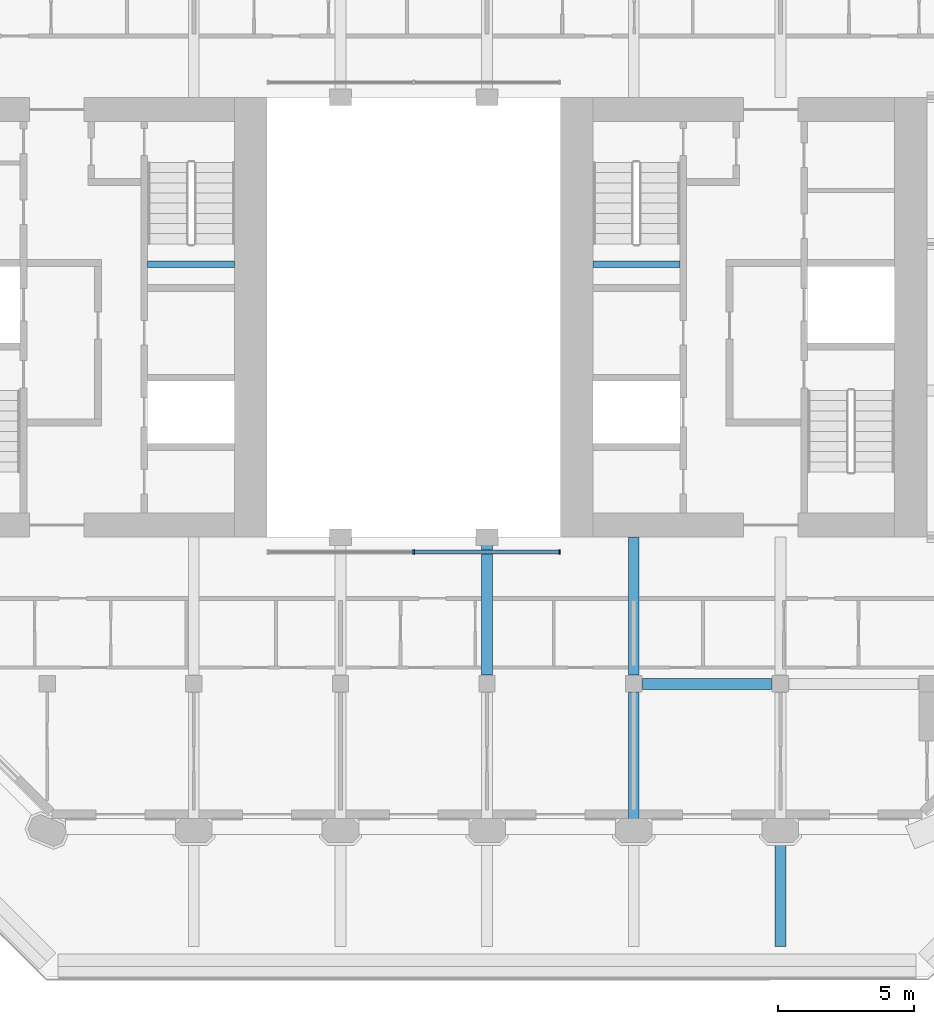
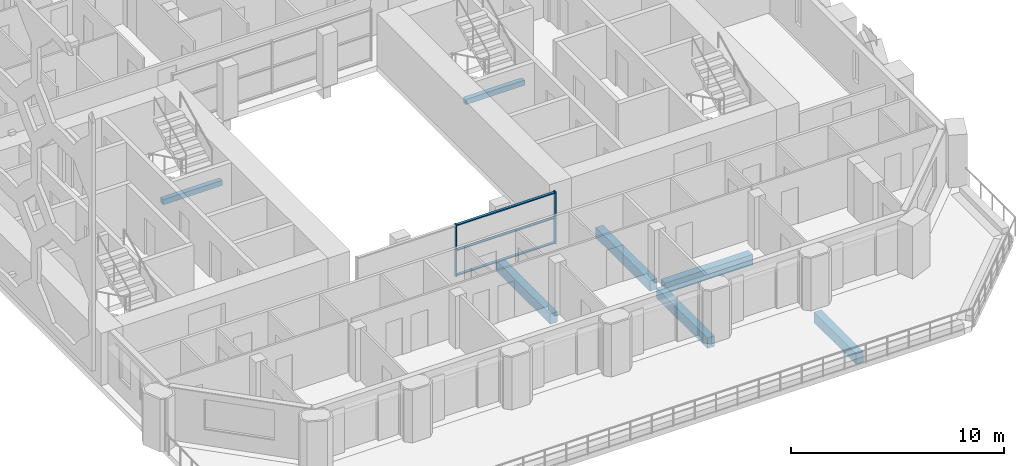
# One storey, part 4 of 17: 7 beams, 5 members, 1 element without a shape of its own.
"""IFC4 building model written with IfcOpenShell, lengths in metres."""

from ifc_helpers import new_model, si_unit, direction, frame, origin, origin_2d, place, context, subcontext, project, spatial, rectangle, extrude, material, material_profile, profile_set, type_object, element, aggregate, save


model = new_model("IFC4")

# Units and contexts
model_context = context("Model", 3, precision=1e-05, world=origin(), true_north=direction((0.0, 1.0)))
body_context = subcontext(model_context, "Body", "Model", "MODEL_VIEW")
ifc_project = project(units=[si_unit("LENGTHUNIT", "METRE"), si_unit("AREAUNIT", "SQUARE_METRE"), si_unit("VOLUMEUNIT", "CUBIC_METRE"), si_unit("PLANEANGLEUNIT", "RADIAN"), si_unit("MASSUNIT", "GRAM", prefix="KILO")], contexts=[model_context])

# Site, building, storey
site_placement = place(None, origin())
site = spatial("IfcSite", under=ifc_project, at=site_placement, CompositionType="ELEMENT")
building_placement = place(site_placement, origin())
building = spatial("IfcBuilding", under=site, at=building_placement, Name="Tabaq Tower and Sports Hall", CompositionType="ELEMENT")
storey_placement = place(building_placement, frame((0.0, 0.0, 288.39990234375)))
storey = spatial("IfcBuildingStorey", under=building, at=storey_placement, Name="L71", CompositionType="ELEMENT", Elevation=288.39990234375)

# Curtain wall, members
ifc_material_1 = material(Name="Aluminium alloy 6063-T6 framed glazing", Category="aluminium")
curtain_wall_type = type_object("IfcCurtainWallType", Name="CW1 curtain wall", PredefinedType="USERDEFINED", material=ifc_material_1)
curtain_wall_placement = place(storey_placement, origin())
curtain_wall = element("IfcCurtainWall", 1, at=curtain_wall_placement, inside=storey, type_object=curtain_wall_type, Name="Atrium glazing L71 S", ObjectType="ATRIUM ENCLOSURE", PredefinedType="USERDEFINED")
ifc_material_2 = material(Name="Aluminium alloy 6063-T6", Category="aluminium")
ifc_material_profile_1 = material_profile(ifc_material_2, rectangle(XDim=0.159912109375, YDim=0.06005859375, at=origin_2d()), Name="MULLION 160x60")
ifc_profile_set_1 = profile_set([ifc_material_profile_1], Name="Aluminium alloy 6063-T6")
member_type_1 = type_object("IfcMemberType", Name="CW1 mullion 160x60", PredefinedType="MULLION", material=ifc_profile_set_1)
member_1_placement = place(storey_placement, frame((24.300048828125, 15.64990234375, 0.0), z_axis=(0.0, 0.0, 1.0), x_axis=(0.0, 1.0, 0.0)))
member_1 = element("IfcMember", 2, at=member_1_placement, type_object=member_type_1, Name="CW1 mullion 2", PredefinedType="MULLION", context=body_context, shape_type="SweptSolid", body=[
    extrude(rectangle(XDim=0.159912109375, YDim=0.06005859375, at=origin_2d()), origin(), (0.0, 0.0, 1.0), 3.0),
])
member_2_placement = place(storey_placement, frame((29.669921875, 15.64990234375, 0.0), z_axis=(0.0, 0.0, 1.0), x_axis=(0.0, 1.0, 0.0)))
member_2 = element("IfcMember", 3, at=member_2_placement, type_object=member_type_1, Name="CW1 mullion 3", PredefinedType="MULLION", context=body_context, shape_type="SweptSolid", body=[
    extrude(rectangle(XDim=0.159912109375, YDim=0.06005859375, at=origin_2d()), origin(), (0.0, 0.0, 1.0), 3.0),
])
ifc_material_3 = material(Name="Aluminium alloy 6063-T6", Category="aluminium")
ifc_material_profile_2 = material_profile(ifc_material_3, rectangle(XDim=0.139892578125, YDim=0.06005859375, at=origin_2d()), Name="TRANSOM 140x60")
ifc_profile_set_2 = profile_set([ifc_material_profile_2], Name="Aluminium alloy 6063-T6")
member_type_2 = type_object("IfcMemberType", Name="CW1 transom 140x60", PredefinedType="USERDEFINED", material=ifc_profile_set_2)
member_3_placement = place(storey_placement, frame((24.330078125, 15.64990234375, 0.070068359375), z_axis=(1.0, 0.0, 0.0), x_axis=(0.0, 1.0, 0.0)))
member_3 = element("IfcMember", 4, at=member_3_placement, type_object=member_type_2, Name="CW1 transom 2.1", ObjectType="TRANSOM", PredefinedType="USERDEFINED", context=body_context, shape_type="SweptSolid", body=[
    extrude(rectangle(XDim=0.139892578125, YDim=0.06005859375, at=origin_2d()), origin(), (0.0, 0.0, 1.0), 5.309814453125),
])
member_4_placement = place(storey_placement, frame((24.330078125, 15.64990234375, 1.5), z_axis=(1.0, 0.0, 0.0), x_axis=(0.0, 1.0, 0.0)))
member_4 = element("IfcMember", 5, at=member_4_placement, type_object=member_type_2, Name="CW1 transom 2.2", ObjectType="TRANSOM", PredefinedType="USERDEFINED", context=body_context, shape_type="SweptSolid", body=[
    extrude(rectangle(XDim=0.139892578125, YDim=0.06005859375, at=origin_2d()), origin(), (0.0, 0.0, 1.0), 5.309814453125),
])
member_5_placement = place(storey_placement, frame((24.330078125, 15.64990234375, 2.93017578125), z_axis=(1.0, 0.0, 0.0), x_axis=(0.0, 1.0, 0.0)))
member_5 = element("IfcMember", 6, at=member_5_placement, type_object=member_type_2, Name="CW1 transom 2.3", ObjectType="TRANSOM", PredefinedType="USERDEFINED", context=body_context, shape_type="SweptSolid", body=[
    extrude(rectangle(XDim=0.139892578125, YDim=0.06005859375, at=origin_2d()), origin(), (0.0, 0.0, 1.0), 5.309814453125),
])
aggregate(curtain_wall, [member_1, member_2, member_3, member_4, member_5])

# Beams
ifc_material_4 = material(Name="Concrete C40/50", Category="concrete")
ifc_material_profile_3 = material_profile(ifc_material_4, rectangle(XDim=0.39990234375, YDim=0.60009765625, at=origin_2d()), Name="CB 400x600")
ifc_profile_set_3 = profile_set([ifc_material_profile_3], Name="Concrete C40/50")
beam_type_1 = type_object("IfcBeamType", Name="PT CANTILEVER BEAM CB 400x600 C40/50", PredefinedType="BEAM", material=ifc_profile_set_3)
beam_1_placement = place(storey_placement, frame((37.47509765625, 10.800048828125, -0.599853515625), z_axis=(-1.0, 0.0, 0.0), x_axis=(0.0, -1.0, 0.0)))
element("IfcBeam", 7, at=beam_1_placement, inside=storey, type_object=beam_type_1, Name="Cantilever Beam L71 E2 span 3", PredefinedType="BEAM", context=body_context, shape_type="SweptSolid", body=[
    extrude(rectangle(XDim=0.39990234375, YDim=0.60009765625, at=origin_2d()), origin(), (0.0, 0.0, 1.0), 4.75),
])
beam_2_placement = place(storey_placement, frame((27.0, 11.125, -0.599853515625), z_axis=(0.0, 1.0, 0.0), x_axis=(-1.0, 0.0, 0.0)))
element("IfcBeam", 8, at=beam_2_placement, inside=storey, type_object=beam_type_1, Name="Cantilever Beam L71 S5 span 3", PredefinedType="BEAM", context=body_context, shape_type="SweptSolid", body=[
    extrude(rectangle(XDim=0.39990234375, YDim=0.60009765625, at=origin_2d()), origin(), (0.0, 0.0, 1.0), 5.074951171875),
])
beam_3_placement = place(storey_placement, frame((32.39990234375, 5.72509765625, -0.599853515625), z_axis=(0.0, 1.0, 0.0), x_axis=(-1.0, 0.0, 0.0)))
element("IfcBeam", 9, at=beam_3_placement, inside=storey, type_object=beam_type_1, Name="Cantilever Beam L71 S6 span 2", PredefinedType="BEAM", context=body_context, shape_type="SweptSolid", body=[
    extrude(rectangle(XDim=0.39990234375, YDim=0.60009765625, at=origin_2d()), origin(), (0.0, 0.0, 1.0), 4.75),
])
beam_4_placement = place(storey_placement, frame((32.39990234375, 11.125, -0.599853515625), z_axis=(0.0, 1.0, 0.0), x_axis=(-1.0, 0.0, 0.0)))
element("IfcBeam", 10, at=beam_4_placement, inside=storey, type_object=beam_type_1, Name="Cantilever Beam L71 S6 span 3", PredefinedType="BEAM", context=body_context, shape_type="SweptSolid", body=[
    extrude(rectangle(XDim=0.39990234375, YDim=0.60009765625, at=origin_2d()), origin(), (0.0, 0.0, 1.0), 5.074951171875),
])
beam_5_placement = place(storey_placement, frame((37.800048828125, 1.125, -0.599853515625), z_axis=(0.0, 1.0, 0.0), x_axis=(-1.0, 0.0, 0.0)))
element("IfcBeam", 11, at=beam_5_placement, inside=storey, type_object=beam_type_1, Name="Cantilever Beam L71 S7 span 1", PredefinedType="BEAM", context=body_context, shape_type="SweptSolid", body=[
    extrude(rectangle(XDim=0.39990234375, YDim=0.60009765625, at=origin_2d()), origin(), (0.0, 0.0, 1.0), 3.949951171875),
])
ifc_material_5 = material(Name="Concrete C40/50", Category="concrete")
ifc_material_profile_4 = material_profile(ifc_material_5, rectangle(XDim=0.25, YDim=0.300048828125, at=origin_2d()), Name="RC 250x300")
ifc_profile_set_4 = profile_set([ifc_material_profile_4], Name="Concrete C40/50")
beam_type_2 = type_object("IfcBeamType", Name="Stair landing beam 250x300", PredefinedType="BEAM", material=ifc_profile_set_4)
beam_6_placement = place(storey_placement, frame((14.5, 26.25, 1.300048828125), z_axis=(1.0, 0.0, 0.0), x_axis=(0.0, 1.0, 0.0)))
element("IfcBeam", 12, at=beam_6_placement, inside=storey, type_object=beam_type_2, Name="L71 ST2 landing beam 1", PredefinedType="BEAM", context=body_context, shape_type="SweptSolid", body=[
    extrude(rectangle(XDim=0.25, YDim=0.300048828125, at=origin_2d()), origin(), (0.0, 0.0, 1.0), 3.199951171875),
])
beam_7_placement = place(storey_placement, frame((30.89990234375, 26.25, 1.300048828125), z_axis=(1.0, 0.0, 0.0), x_axis=(0.0, 1.0, 0.0)))
element("IfcBeam", 13, at=beam_7_placement, inside=storey, type_object=beam_type_2, Name="L71 ST4 landing beam 1", PredefinedType="BEAM", context=body_context, shape_type="SweptSolid", body=[
    extrude(rectangle(XDim=0.25, YDim=0.300048828125, at=origin_2d()), origin(), (0.0, 0.0, 1.0), 3.2001953125),
])

save(model, "model.ifc")
